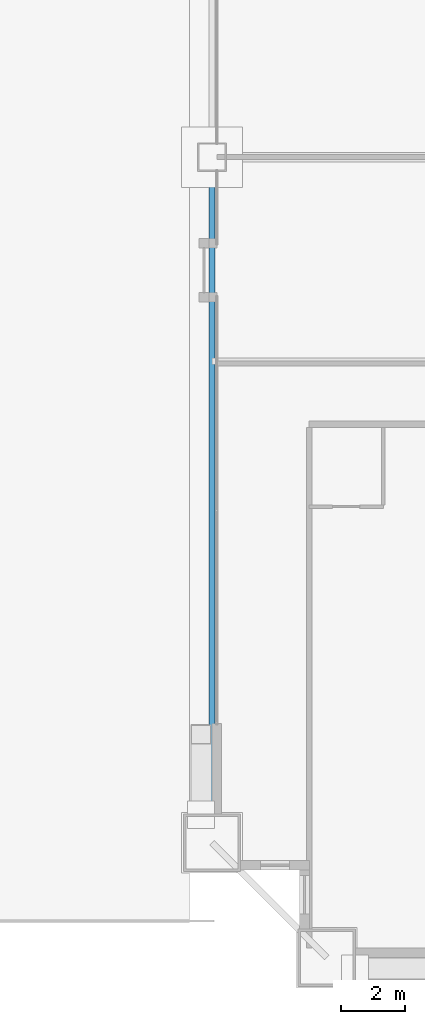
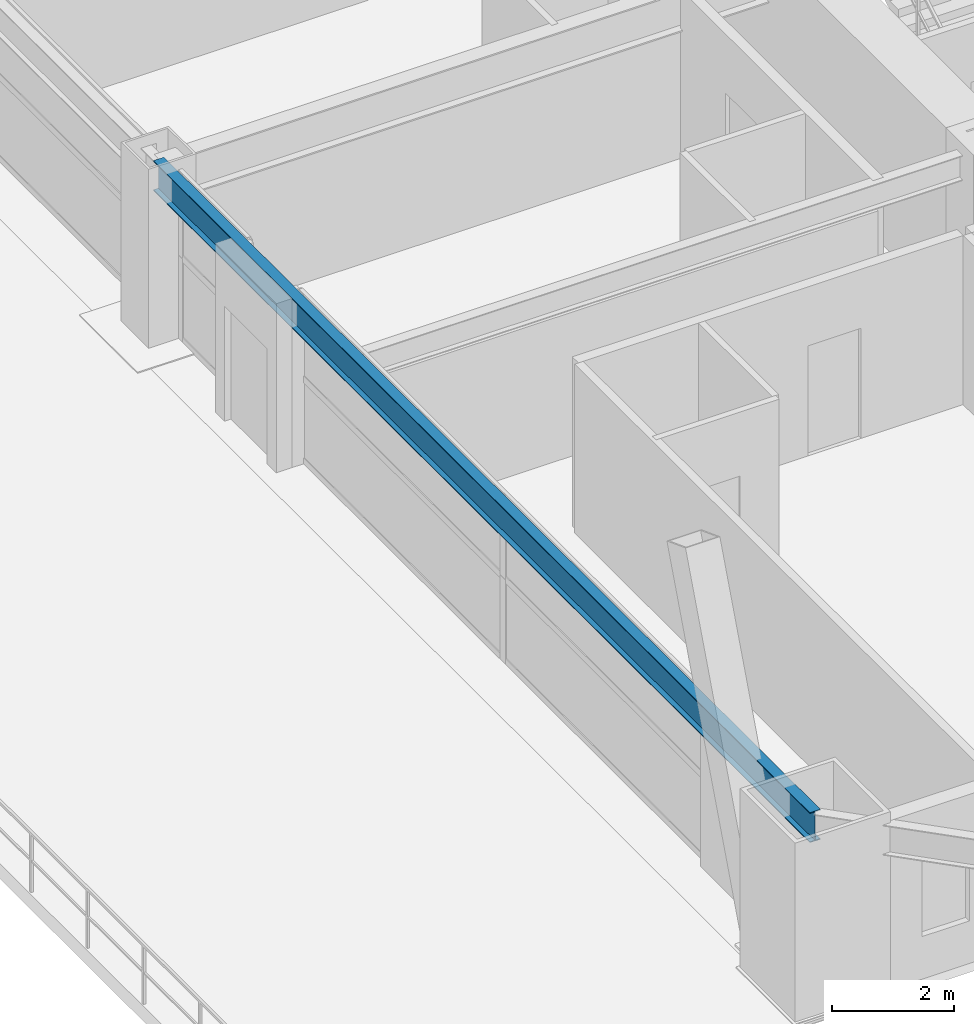
# One storey, part 4 of 45: 1 beam.
"""IFC4 building model written with IfcOpenShell, lengths in metres."""

import ifcopenshell
import ifcopenshell.guid

model = None  # the IFC model being written
_history = None  # IfcOwnerHistory: only IFC2X3 demands one
_inside = {}  # id of a spatial element -> (the spatial element, [elements in it])
_under = {}  # id of a project, library or spatial element -> (it, [spatial elements below it])
_declared = {}  # id of a project -> (the project, [libraries it declares])
_typed = {}  # id of a type object -> (the type object, [elements of that type])
_made_of = {}  # id of a material, layer set ... -> (it, [elements and type objects made of it])


def new_model(schema):
    """Start an empty IFC model of exactly this schema.

    Asked for "IFC4X3", IfcOpenShell would pick the latest addendum, in which some entities
    have other attributes; the version numbers below select the first issue.
    IFC2X3 requires an IfcOwnerHistory on every rooted entity: one is made here for all.
    """
    global model, _history
    if schema == "IFC4X3":
        model = ifcopenshell.file(schema_version=(4, 3, 0, 0))
    else:
        model = ifcopenshell.file(schema=schema)
    _inside.clear()
    _under.clear()
    _declared.clear()
    _typed.clear()
    _made_of.clear()
    _history = None
    if model.schema == "IFC2X3":
        org = make("IfcOrganization", Name="unknown")
        user = make(
            "IfcPersonAndOrganization",
            ThePerson=make("IfcPerson", FamilyName="unknown"),
            TheOrganization=org,
        )
        app = make(
            "IfcApplication",
            ApplicationDeveloper=org,
            Version="unknown",
            ApplicationFullName="unknown",
            ApplicationIdentifier="unknown",
        )
        _history = make(
            "IfcOwnerHistory",
            OwningUser=user,
            OwningApplication=app,
            ChangeAction="ADDED",
            CreationDate=0,
        )
    return model


def make(cls, **values):
    """One entity of the class cls with the attributes given. An attribute that is None is left unset."""
    return model.create_entity(
        cls, **{name: value for name, value in values.items() if value is not None}
    )


def rooted(cls, **values):
    """An entity with a GlobalId (a new one), such as an element, a storey or a relation."""
    return make(cls, GlobalId=ifcopenshell.guid.new(), OwnerHistory=_history, **values)


def si_unit(unit_type, name, prefix=None):
    """IfcSIUnit, for example si_unit("LENGTHUNIT", "METRE", prefix="MILLI")."""
    return make("IfcSIUnit", UnitType=unit_type, Prefix=prefix, Name=name)


def assignment(units):
    """IfcUnitAssignment: the units of a project."""
    return None if units is None else make("IfcUnitAssignment", Units=units)


def point(xyz):
    """IfcCartesianPoint."""
    return None if xyz is None else make("IfcCartesianPoint", Coordinates=xyz)


def direction(xyz):
    """IfcDirection."""
    return None if xyz is None else make("IfcDirection", DirectionRatios=xyz)


def frame(location, z_axis=None, x_axis=None):
    """IfcAxis2Placement3D, a coordinate frame: its origin and axes. An axis left out is left unset."""
    return make(
        "IfcAxis2Placement3D",
        Location=point(location),
        Axis=direction(z_axis),
        RefDirection=direction(x_axis),
    )


def frame_2d(location, x_axis=None):
    """IfcAxis2Placement2D, a coordinate frame in the plane: its origin and x axis."""
    return make(
        "IfcAxis2Placement2D", Location=point(location), RefDirection=direction(x_axis)
    )


def origin():
    """The frame at (0, 0, 0) with its axes left unset."""
    return frame((0.0, 0.0, 0.0))


def origin_2d():
    """The frame at (0, 0) in the plane with its x axis left unset."""
    return frame_2d((0.0, 0.0))


def place(relative_to, where):
    """IfcLocalPlacement: puts the frame where relative to a parent placement (None: the world)."""
    return make(
        "IfcLocalPlacement", PlacementRelTo=relative_to, RelativePlacement=where
    )


def context(
    kind, dimensions, precision=None, world=None, true_north=None, identifier=None
):
    """IfcGeometricRepresentationContext, for example the 3D "Model" context."""
    return make(
        "IfcGeometricRepresentationContext",
        ContextIdentifier=identifier,
        ContextType=kind,
        CoordinateSpaceDimension=dimensions,
        Precision=precision,
        WorldCoordinateSystem=world,
        TrueNorth=true_north,
    )


def subcontext(parent, identifier, kind, view, scale=None):
    """IfcGeometricRepresentationSubContext, for example "Body" below "Model"."""
    return make(
        "IfcGeometricRepresentationSubContext",
        ContextIdentifier=identifier,
        ContextType=kind,
        ParentContext=parent,
        TargetScale=scale,
        TargetView=view,
    )


def project(units=None, contexts=None):
    """IfcProject with its units and contexts."""
    return rooted(
        "IfcProject",
        Name="project",
        RepresentationContexts=contexts,
        UnitsInContext=assignment(units),
    )


def spatial(cls, under=None, at=None, **own):
    """A site, building, storey or space (cls), placed at a placement, below another one or the project."""
    s = rooted(cls, ObjectPlacement=at, **own)
    if under is not None:
        _under.setdefault(under.id(), (under, []))[1].append(s)
    return s


def profile(cls, at=None, kind="AREA", **sizes):
    """A parametric profile (cls). Its sizes go by their IFC names, for example OverallWidth=200.0."""
    return make(cls, ProfileType=kind, Position=at, **sizes)


def i_section(**sizes):
    """IfcIShapeProfileDef."""
    return profile("IfcIShapeProfileDef", **sizes)


def extrude(swept, where, along, depth):
    """IfcExtrudedAreaSolid: the profile swept, set in the frame where, extruded along a direction by depth."""
    return make(
        "IfcExtrudedAreaSolid",
        SweptArea=swept,
        Position=where,
        ExtrudedDirection=direction(along),
        Depth=depth,
    )


def shape(context_of_items, identifier, shape_type, items):
    """IfcShapeRepresentation: the items that make up one representation, for example the "Body"."""
    return make(
        "IfcShapeRepresentation",
        ContextOfItems=context_of_items,
        RepresentationIdentifier=identifier,
        RepresentationType=shape_type,
        Items=items,
    )


def source(mapping_origin, context_of_items, identifier, shape_type, items):
    """IfcRepresentationMap: a shape defined once, which mapped items show again and again."""
    return make(
        "IfcRepresentationMap",
        MappingOrigin=mapping_origin,
        MappedRepresentation=shape(context_of_items, identifier, shape_type, items),
    )


def transform(
    local_origin,
    x_axis=None,
    y_axis=None,
    z_axis=None,
    scale=None,
    scale2=None,
    scale3=None,
    uniform=True,
):
    """IfcCartesianTransformationOperator3D, or its non-uniform kind. x_axis, y_axis, z_axis: its Axis1, 2, 3."""
    if uniform:
        return make(
            "IfcCartesianTransformationOperator3D",
            Axis1=direction(x_axis),
            Axis2=direction(y_axis),
            LocalOrigin=point(local_origin),
            Scale=scale,
            Axis3=direction(z_axis),
        )
    return make(
        "IfcCartesianTransformationOperator3DnonUniform",
        Axis1=direction(x_axis),
        Axis2=direction(y_axis),
        LocalOrigin=point(local_origin),
        Scale=scale,
        Axis3=direction(z_axis),
        Scale2=scale2,
        Scale3=scale3,
    )


def mapped(mapping_source, mapping_target):
    """IfcMappedItem: shows the shape of a source again, moved by a transform."""
    return make(
        "IfcMappedItem", MappingSource=mapping_source, MappingTarget=mapping_target
    )


def material(Name=None, Category=None):
    """IfcMaterial."""
    return make("IfcMaterial", Name=Name, Category=Category)


def material_profile(
    of_material, cross_section, Name=None, Category=None, Priority=None
):
    """IfcMaterialProfile: a cross section and its material."""
    return make(
        "IfcMaterialProfile",
        Name=Name,
        Material=of_material,
        Profile=cross_section,
        Priority=Priority,
        Category=Category,
    )


def profile_set(profiles, Name=None, composite=None):
    """IfcMaterialProfileSet."""
    return make(
        "IfcMaterialProfileSet",
        Name=Name,
        MaterialProfiles=profiles,
        CompositeProfile=composite,
    )


def made_of(thing, what):
    """Note that an element or type object is made of a material, layer set ...; save() writes the relation."""
    if what is not None:
        _made_of.setdefault(what.id(), (what, []))[1].append(thing)
    return thing


def type_object(cls, material=None, **own):
    """A type object (cls), such as IfcWallType, which elements share."""
    return made_of(rooted(cls, **own), material)


def element(
    cls,
    number,
    at=None,
    inside=None,
    cuts=None,
    type_object=None,
    material=None,
    context=None,
    identifier="Body",
    shape_type=None,
    held_by="IfcProductDefinitionShape",
    body=None,
    shapes=None,
    **own,
):
    """One element of the class cls, such as IfcWall. Its Tag is "e" and its number.

    at: its placement. inside: the storey or other place that contains it. cuts: it is an
    opening in that element (IfcRelVoidsElement). A single representation is given by context,
    identifier, shape_type and body (its items); several are given by shapes. held_by: the class
    of the entity that holds the representations. save() writes the other relations.
    """
    e = rooted(cls, Tag="e%d" % number, ObjectPlacement=at, **own)
    if body is not None:
        shapes = [shape(context, identifier, shape_type, body)]
    if shapes is not None:
        e.Representation = make(held_by, Representations=shapes)
    if inside is not None:
        _inside.setdefault(inside.id(), (inside, []))[1].append(e)
    if cuts is not None:
        rooted(
            "IfcRelVoidsElement", RelatingBuildingElement=cuts, RelatedOpeningElement=e
        )
    if type_object is not None:
        _typed.setdefault(type_object.id(), (type_object, []))[1].append(e)
    return made_of(e, material)


def aggregate(whole, parts):
    """IfcRelAggregates: a whole, such as a stair, and the parts it consists of."""
    return rooted("IfcRelAggregates", RelatingObject=whole, RelatedObjects=parts)


def save(model, path):
    """Write the relations noted so far, then the file.

    IfcRelAggregates (storeys below a building ...), IfcRelContainedInSpatialStructure (elements
    in a storey), IfcRelDefinesByType, IfcRelAssociatesMaterial and IfcRelDeclares: one each for
    every whole, place, type object, material and project.
    """
    for whole, parts in _under.values():
        aggregate(whole, parts)
    for where, things in _inside.values():
        rooted(
            "IfcRelContainedInSpatialStructure",
            RelatedElements=things,
            RelatingStructure=where,
        )
    for kind, things in _typed.values():
        rooted("IfcRelDefinesByType", RelatedObjects=things, RelatingType=kind)
    for what, things in _made_of.values():
        rooted("IfcRelAssociatesMaterial", RelatedObjects=things, RelatingMaterial=what)
    for by, libraries in _declared.values():
        rooted("IfcRelDeclares", RelatingContext=by, RelatedDefinitions=libraries)
    model.write(path)


model = new_model("IFC4")

# Units and contexts
model_context = context("Model", 3, precision=1e-05, world=origin(), true_north=direction((0.0, 1.0)))
body_context = subcontext(model_context, "Body", "Model", "MODEL_VIEW")
ifc_project = project(units=[si_unit("LENGTHUNIT", "METRE"), si_unit("AREAUNIT", "SQUARE_METRE"), si_unit("VOLUMEUNIT", "CUBIC_METRE"), si_unit("PLANEANGLEUNIT", "RADIAN"), si_unit("MASSUNIT", "GRAM", prefix="KILO"), si_unit("THERMODYNAMICTEMPERATUREUNIT", "KELVIN"), si_unit("POWERUNIT", "WATT")], contexts=[model_context])

# Site, building, storey
site_placement = place(None, origin())
site = spatial("IfcSite", under=ifc_project, at=site_placement, CompositionType="ELEMENT")
building_placement = place(site_placement, origin())
building = spatial("IfcBuilding", under=site, at=building_placement, Name="Yuzanri Waterfront Tower", CompositionType="ELEMENT")
storey_placement = place(building_placement, frame((0.0, 0.0, 30.60009765625)))
storey = spatial("IfcBuildingStorey", under=building, at=storey_placement, Name="L07", CompositionType="ELEMENT", Elevation=30.60009765625)

# Beam
ifc_material = material(Name="Steel Q355B", Category="steel")
ifc_material_profile = material_profile(ifc_material, i_section(OverallWidth=0.199951171875, OverallDepth=0.60009765625, WebThickness=0.010986328125, FlangeThickness=0.01708984375, at=origin_2d()), Name="HN 600x200x11x17")
ifc_profile_set = profile_set([ifc_material_profile], Name="Steel Q355B")
beam_type = type_object("IfcBeamType", Name="Perimeter Spandrel Q355B HN 600x200", PredefinedType="SPANDREL", material=ifc_profile_set)
shared_shape = source(origin(), body_context, "Body", "SweptSolid", [
    extrude(i_section(OverallWidth=0.199951171875, OverallDepth=0.60009765625, WebThickness=0.010986328125, FlangeThickness=0.01708984375, at=origin_2d()), origin(), (0.0, 0.0, 1.0), 21.5),
])
beam_placement = place(storey_placement, frame((11.89990234375, 25.800048828125, 3.079833984375), z_axis=(0.0, -1.0, 0.0), x_axis=(1.0, 0.0, 0.0)))
element("IfcBeam", 1, at=beam_placement, inside=storey, type_object=beam_type, Name="L07 Perimeter Spandrel W2-W1", PredefinedType="SPANDREL", context=body_context, shape_type="MappedRepresentation", body=[
    mapped(shared_shape, transform((0.0, 0.0, 0.0), scale=1.0)),
])

save(model, "model.ifc")
